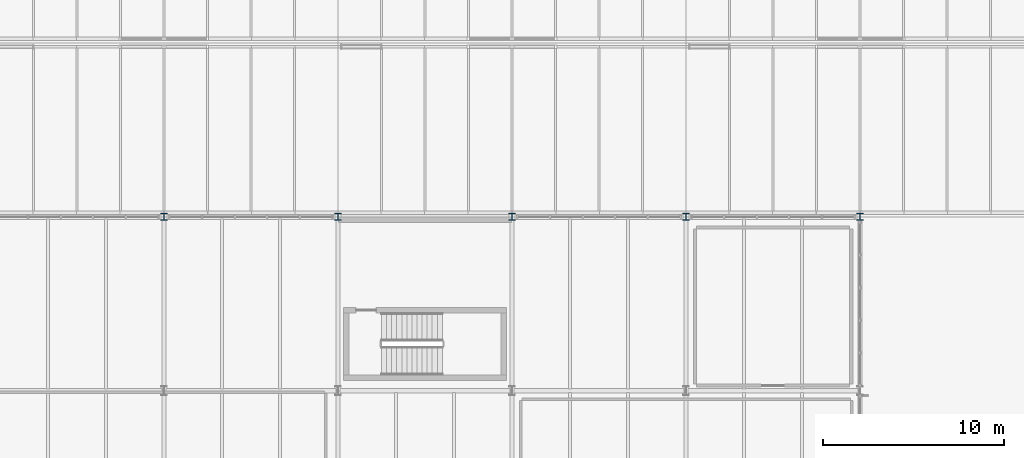
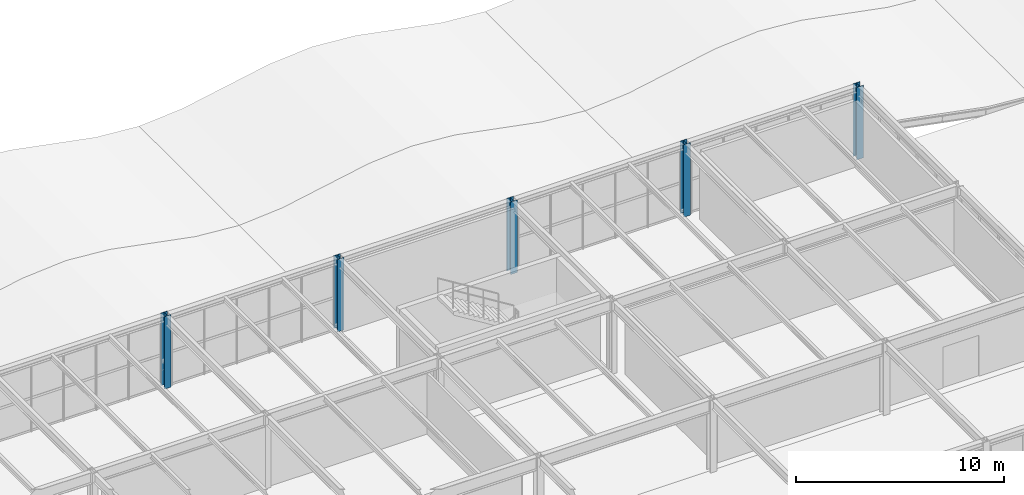
# One storey, part 11 of 170: 5 columns.
"""IFC4 building model written with IfcOpenShell, lengths in metres."""

import ifcopenshell
import ifcopenshell.guid

model = None  # the IFC model being written
_history = None  # IfcOwnerHistory: only IFC2X3 demands one
_inside = {}  # id of a spatial element -> (the spatial element, [elements in it])
_under = {}  # id of a project, library or spatial element -> (it, [spatial elements below it])
_declared = {}  # id of a project -> (the project, [libraries it declares])
_typed = {}  # id of a type object -> (the type object, [elements of that type])
_made_of = {}  # id of a material, layer set ... -> (it, [elements and type objects made of it])


def new_model(schema):
    """Start an empty IFC model of exactly this schema.

    Asked for "IFC4X3", IfcOpenShell would pick the latest addendum, in which some entities
    have other attributes; the version numbers below select the first issue.
    IFC2X3 requires an IfcOwnerHistory on every rooted entity: one is made here for all.
    """
    global model, _history
    if schema == "IFC4X3":
        model = ifcopenshell.file(schema_version=(4, 3, 0, 0))
    else:
        model = ifcopenshell.file(schema=schema)
    _inside.clear()
    _under.clear()
    _declared.clear()
    _typed.clear()
    _made_of.clear()
    _history = None
    if model.schema == "IFC2X3":
        org = make("IfcOrganization", Name="unknown")
        user = make(
            "IfcPersonAndOrganization",
            ThePerson=make("IfcPerson", FamilyName="unknown"),
            TheOrganization=org,
        )
        app = make(
            "IfcApplication",
            ApplicationDeveloper=org,
            Version="unknown",
            ApplicationFullName="unknown",
            ApplicationIdentifier="unknown",
        )
        _history = make(
            "IfcOwnerHistory",
            OwningUser=user,
            OwningApplication=app,
            ChangeAction="ADDED",
            CreationDate=0,
        )
    return model


def make(cls, **values):
    """One entity of the class cls with the attributes given. An attribute that is None is left unset."""
    return model.create_entity(
        cls, **{name: value for name, value in values.items() if value is not None}
    )


def rooted(cls, **values):
    """An entity with a GlobalId (a new one), such as an element, a storey or a relation."""
    return make(cls, GlobalId=ifcopenshell.guid.new(), OwnerHistory=_history, **values)


def si_unit(unit_type, name, prefix=None):
    """IfcSIUnit, for example si_unit("LENGTHUNIT", "METRE", prefix="MILLI")."""
    return make("IfcSIUnit", UnitType=unit_type, Prefix=prefix, Name=name)


def assignment(units):
    """IfcUnitAssignment: the units of a project."""
    return None if units is None else make("IfcUnitAssignment", Units=units)


def point(xyz):
    """IfcCartesianPoint."""
    return None if xyz is None else make("IfcCartesianPoint", Coordinates=xyz)


def direction(xyz):
    """IfcDirection."""
    return None if xyz is None else make("IfcDirection", DirectionRatios=xyz)


def frame(location, z_axis=None, x_axis=None):
    """IfcAxis2Placement3D, a coordinate frame: its origin and axes. An axis left out is left unset."""
    return make(
        "IfcAxis2Placement3D",
        Location=point(location),
        Axis=direction(z_axis),
        RefDirection=direction(x_axis),
    )


def frame_2d(location, x_axis=None):
    """IfcAxis2Placement2D, a coordinate frame in the plane: its origin and x axis."""
    return make(
        "IfcAxis2Placement2D", Location=point(location), RefDirection=direction(x_axis)
    )


def origin():
    """The frame at (0, 0, 0) with its axes left unset."""
    return frame((0.0, 0.0, 0.0))


def origin_2d():
    """The frame at (0, 0) in the plane with its x axis left unset."""
    return frame_2d((0.0, 0.0))


def place(relative_to, where):
    """IfcLocalPlacement: puts the frame where relative to a parent placement (None: the world)."""
    return make(
        "IfcLocalPlacement", PlacementRelTo=relative_to, RelativePlacement=where
    )


def context(
    kind, dimensions, precision=None, world=None, true_north=None, identifier=None
):
    """IfcGeometricRepresentationContext, for example the 3D "Model" context."""
    return make(
        "IfcGeometricRepresentationContext",
        ContextIdentifier=identifier,
        ContextType=kind,
        CoordinateSpaceDimension=dimensions,
        Precision=precision,
        WorldCoordinateSystem=world,
        TrueNorth=true_north,
    )


def subcontext(parent, identifier, kind, view, scale=None):
    """IfcGeometricRepresentationSubContext, for example "Body" below "Model"."""
    return make(
        "IfcGeometricRepresentationSubContext",
        ContextIdentifier=identifier,
        ContextType=kind,
        ParentContext=parent,
        TargetScale=scale,
        TargetView=view,
    )


def project(units=None, contexts=None):
    """IfcProject with its units and contexts."""
    return rooted(
        "IfcProject",
        Name="project",
        RepresentationContexts=contexts,
        UnitsInContext=assignment(units),
    )


def spatial(cls, under=None, at=None, **own):
    """A site, building, storey or space (cls), placed at a placement, below another one or the project."""
    s = rooted(cls, ObjectPlacement=at, **own)
    if under is not None:
        _under.setdefault(under.id(), (under, []))[1].append(s)
    return s


def profile(cls, at=None, kind="AREA", **sizes):
    """A parametric profile (cls). Its sizes go by their IFC names, for example OverallWidth=200.0."""
    return make(cls, ProfileType=kind, Position=at, **sizes)


def i_section(**sizes):
    """IfcIShapeProfileDef."""
    return profile("IfcIShapeProfileDef", **sizes)


def extrude(swept, where, along, depth):
    """IfcExtrudedAreaSolid: the profile swept, set in the frame where, extruded along a direction by depth."""
    return make(
        "IfcExtrudedAreaSolid",
        SweptArea=swept,
        Position=where,
        ExtrudedDirection=direction(along),
        Depth=depth,
    )


def shape(context_of_items, identifier, shape_type, items):
    """IfcShapeRepresentation: the items that make up one representation, for example the "Body"."""
    return make(
        "IfcShapeRepresentation",
        ContextOfItems=context_of_items,
        RepresentationIdentifier=identifier,
        RepresentationType=shape_type,
        Items=items,
    )


def material(Name=None, Category=None):
    """IfcMaterial."""
    return make("IfcMaterial", Name=Name, Category=Category)


def material_profile(
    of_material, cross_section, Name=None, Category=None, Priority=None
):
    """IfcMaterialProfile: a cross section and its material."""
    return make(
        "IfcMaterialProfile",
        Name=Name,
        Material=of_material,
        Profile=cross_section,
        Priority=Priority,
        Category=Category,
    )


def profile_set(profiles, Name=None, composite=None):
    """IfcMaterialProfileSet."""
    return make(
        "IfcMaterialProfileSet",
        Name=Name,
        MaterialProfiles=profiles,
        CompositeProfile=composite,
    )


def made_of(thing, what):
    """Note that an element or type object is made of a material, layer set ...; save() writes the relation."""
    if what is not None:
        _made_of.setdefault(what.id(), (what, []))[1].append(thing)
    return thing


def type_object(cls, material=None, **own):
    """A type object (cls), such as IfcWallType, which elements share."""
    return made_of(rooted(cls, **own), material)


def element(
    cls,
    number,
    at=None,
    inside=None,
    cuts=None,
    type_object=None,
    material=None,
    context=None,
    identifier="Body",
    shape_type=None,
    held_by="IfcProductDefinitionShape",
    body=None,
    shapes=None,
    **own,
):
    """One element of the class cls, such as IfcWall. Its Tag is "e" and its number.

    at: its placement. inside: the storey or other place that contains it. cuts: it is an
    opening in that element (IfcRelVoidsElement). A single representation is given by context,
    identifier, shape_type and body (its items); several are given by shapes. held_by: the class
    of the entity that holds the representations. save() writes the other relations.
    """
    e = rooted(cls, Tag="e%d" % number, ObjectPlacement=at, **own)
    if body is not None:
        shapes = [shape(context, identifier, shape_type, body)]
    if shapes is not None:
        e.Representation = make(held_by, Representations=shapes)
    if inside is not None:
        _inside.setdefault(inside.id(), (inside, []))[1].append(e)
    if cuts is not None:
        rooted(
            "IfcRelVoidsElement", RelatingBuildingElement=cuts, RelatedOpeningElement=e
        )
    if type_object is not None:
        _typed.setdefault(type_object.id(), (type_object, []))[1].append(e)
    return made_of(e, material)


def aggregate(whole, parts):
    """IfcRelAggregates: a whole, such as a stair, and the parts it consists of."""
    return rooted("IfcRelAggregates", RelatingObject=whole, RelatedObjects=parts)


def save(model, path):
    """Write the relations noted so far, then the file.

    IfcRelAggregates (storeys below a building ...), IfcRelContainedInSpatialStructure (elements
    in a storey), IfcRelDefinesByType, IfcRelAssociatesMaterial and IfcRelDeclares: one each for
    every whole, place, type object, material and project.
    """
    for whole, parts in _under.values():
        aggregate(whole, parts)
    for where, things in _inside.values():
        rooted(
            "IfcRelContainedInSpatialStructure",
            RelatedElements=things,
            RelatingStructure=where,
        )
    for kind, things in _typed.values():
        rooted("IfcRelDefinesByType", RelatedObjects=things, RelatingType=kind)
    for what, things in _made_of.values():
        rooted("IfcRelAssociatesMaterial", RelatedObjects=things, RelatingMaterial=what)
    for by, libraries in _declared.values():
        rooted("IfcRelDeclares", RelatingContext=by, RelatedDefinitions=libraries)
    model.write(path)


model = new_model("IFC4")

# Units and contexts
model_context = context("Model", 3, precision=1e-05, world=origin(), true_north=direction((0.0, 1.0)))
body_context = subcontext(model_context, "Body", "Model", "MODEL_VIEW")
ifc_project = project(units=[si_unit("LENGTHUNIT", "METRE"), si_unit("AREAUNIT", "SQUARE_METRE"), si_unit("VOLUMEUNIT", "CUBIC_METRE"), si_unit("PLANEANGLEUNIT", "RADIAN"), si_unit("MASSUNIT", "GRAM", prefix="KILO")], contexts=[model_context])

# Site, building, storey
site_placement = place(None, origin())
site = spatial("IfcSite", under=ifc_project, at=site_placement, CompositionType="ELEMENT")
building_placement = place(site_placement, origin())
building = spatial("IfcBuilding", under=site, at=building_placement, Name="Coralgate Yard Interchange", CompositionType="ELEMENT")
storey_placement = place(building_placement, frame((0.0, 0.0, 6.0)))
storey = spatial("IfcBuildingStorey", under=building, at=storey_placement, Name="L01", CompositionType="ELEMENT", Elevation=6.0)

# Columns
ifc_material = material(Name="Structural steel S355J2", Category="steel")
ifc_material_profile = material_profile(ifc_material, i_section(OverallWidth=0.37255859375, OverallDepth=0.3681640625, WebThickness=0.014404296875, FlangeThickness=0.023681640625, FilletRadius=0.01513671875, at=origin_2d()), Name="UC 356x368x177")
ifc_profile_set = profile_set([ifc_material_profile], Name="Structural steel S355J2")
column_type = type_object("IfcColumnType", Name="COL-SC-3", PredefinedType="COLUMN", material=ifc_profile_set)
for number, where, z_axis, x_axis, name in (
    (1, (67.199951171875, 96.0, 0.0), (0.0, 0.0, 1.0), (1.0, 0.0, 0.0), "L01 structural column 7-10"),
    (2, (76.800048828125, 96.0, 0.0), (0.0, 0.0, 1.0), (1.0, 0.0, 0.0), "L01 structural column 8-10"),
    (3, (86.39990234375, 96.0, 0.0), (0.0, 0.0, 1.0), (1.0, 0.0, 0.0), "L01 structural column 9-10"),
    (4, (96.0, 96.0, 0.0), (0.0, 0.0, 1.0), (1.0, 0.0, 0.0), "L01 structural column 10-10"),
    (5, (105.60009765625, 96.0, 0.0), (0.0, 0.0, 1.0), (1.0, 0.0, 0.0), "L01 structural column 11-10"),
):
    element("IfcColumn", number, at=place(storey_placement, frame(where, z_axis=z_axis, x_axis=x_axis)), inside=storey, type_object=column_type, Name=name, PredefinedType="COLUMN", context=body_context, shape_type="SweptSolid", body=[
        extrude(i_section(OverallWidth=0.37255859375, OverallDepth=0.3681640625, WebThickness=0.014404296875, FlangeThickness=0.023681640625, FilletRadius=0.01513671875, at=origin_2d()), origin(), (0.0, 0.0, 1.0), 4.25),
    ])

save(model, "model.ifc")
